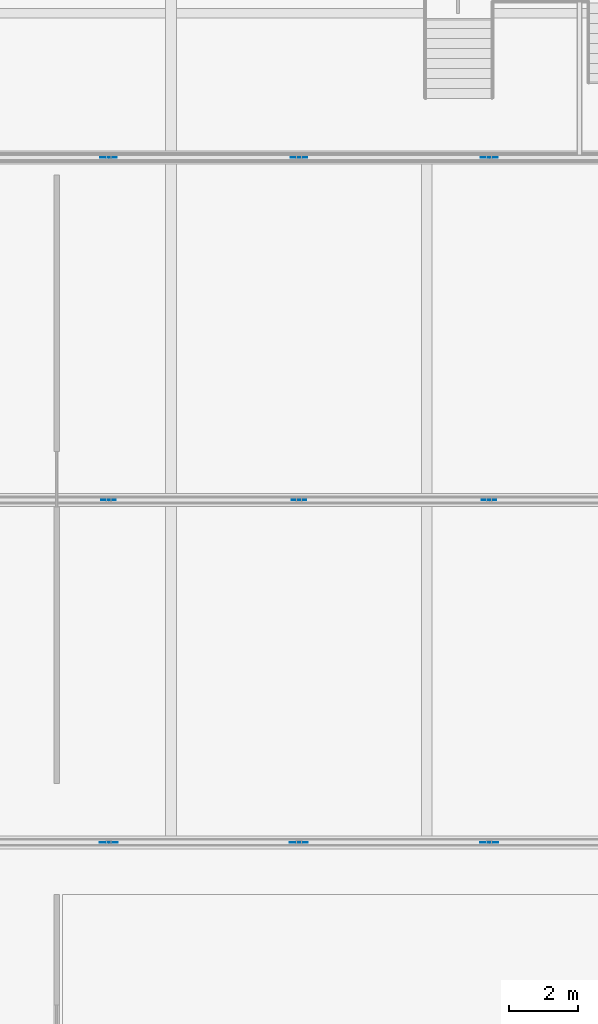
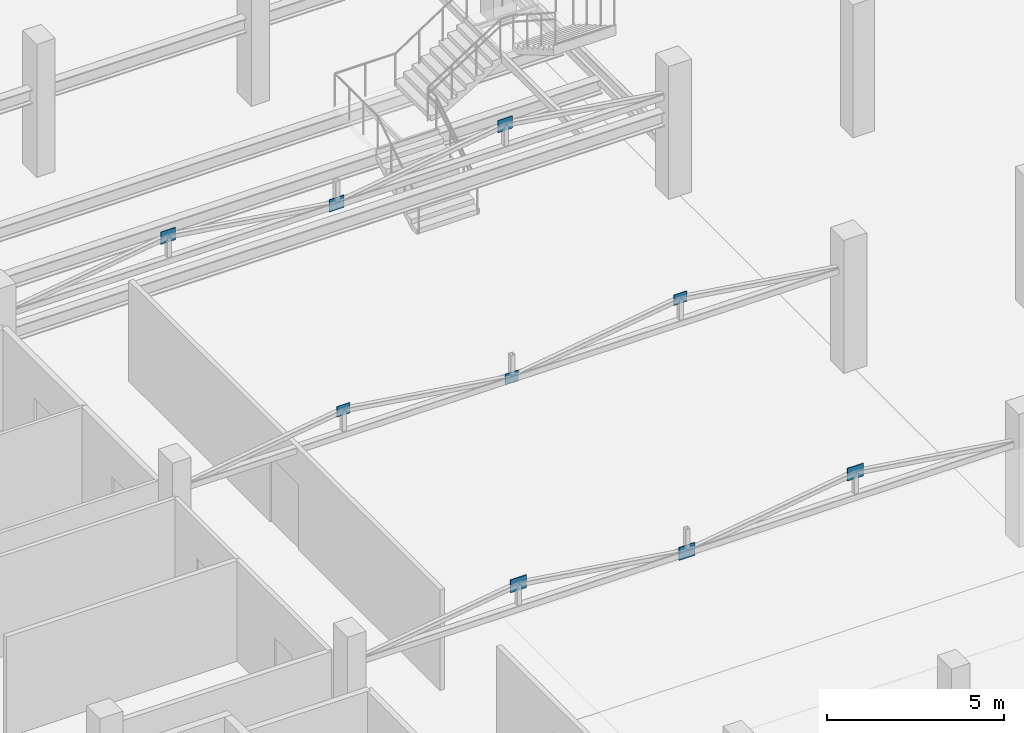
# One storey, part 35 of 49: 9 plates.
"""IFC4 building model written with IfcOpenShell, lengths in metres."""

import ifcopenshell
import ifcopenshell.guid

model = None  # the IFC model being written
_history = None  # IfcOwnerHistory: only IFC2X3 demands one
_inside = {}  # id of a spatial element -> (the spatial element, [elements in it])
_under = {}  # id of a project, library or spatial element -> (it, [spatial elements below it])
_declared = {}  # id of a project -> (the project, [libraries it declares])
_typed = {}  # id of a type object -> (the type object, [elements of that type])
_made_of = {}  # id of a material, layer set ... -> (it, [elements and type objects made of it])


def new_model(schema):
    """Start an empty IFC model of exactly this schema.

    Asked for "IFC4X3", IfcOpenShell would pick the latest addendum, in which some entities
    have other attributes; the version numbers below select the first issue.
    IFC2X3 requires an IfcOwnerHistory on every rooted entity: one is made here for all.
    """
    global model, _history
    if schema == "IFC4X3":
        model = ifcopenshell.file(schema_version=(4, 3, 0, 0))
    else:
        model = ifcopenshell.file(schema=schema)
    _inside.clear()
    _under.clear()
    _declared.clear()
    _typed.clear()
    _made_of.clear()
    _history = None
    if model.schema == "IFC2X3":
        org = make("IfcOrganization", Name="unknown")
        user = make(
            "IfcPersonAndOrganization",
            ThePerson=make("IfcPerson", FamilyName="unknown"),
            TheOrganization=org,
        )
        app = make(
            "IfcApplication",
            ApplicationDeveloper=org,
            Version="unknown",
            ApplicationFullName="unknown",
            ApplicationIdentifier="unknown",
        )
        _history = make(
            "IfcOwnerHistory",
            OwningUser=user,
            OwningApplication=app,
            ChangeAction="ADDED",
            CreationDate=0,
        )
    return model


def make(cls, **values):
    """One entity of the class cls with the attributes given. An attribute that is None is left unset."""
    return model.create_entity(
        cls, **{name: value for name, value in values.items() if value is not None}
    )


def rooted(cls, **values):
    """An entity with a GlobalId (a new one), such as an element, a storey or a relation."""
    return make(cls, GlobalId=ifcopenshell.guid.new(), OwnerHistory=_history, **values)


def si_unit(unit_type, name, prefix=None):
    """IfcSIUnit, for example si_unit("LENGTHUNIT", "METRE", prefix="MILLI")."""
    return make("IfcSIUnit", UnitType=unit_type, Prefix=prefix, Name=name)


def assignment(units):
    """IfcUnitAssignment: the units of a project."""
    return None if units is None else make("IfcUnitAssignment", Units=units)


def point(xyz):
    """IfcCartesianPoint."""
    return None if xyz is None else make("IfcCartesianPoint", Coordinates=xyz)


def direction(xyz):
    """IfcDirection."""
    return None if xyz is None else make("IfcDirection", DirectionRatios=xyz)


def frame(location, z_axis=None, x_axis=None):
    """IfcAxis2Placement3D, a coordinate frame: its origin and axes. An axis left out is left unset."""
    return make(
        "IfcAxis2Placement3D",
        Location=point(location),
        Axis=direction(z_axis),
        RefDirection=direction(x_axis),
    )


def frame_2d(location, x_axis=None):
    """IfcAxis2Placement2D, a coordinate frame in the plane: its origin and x axis."""
    return make(
        "IfcAxis2Placement2D", Location=point(location), RefDirection=direction(x_axis)
    )


def origin():
    """The frame at (0, 0, 0) with its axes left unset."""
    return frame((0.0, 0.0, 0.0))


def origin_2d():
    """The frame at (0, 0) in the plane with its x axis left unset."""
    return frame_2d((0.0, 0.0))


def place(relative_to, where):
    """IfcLocalPlacement: puts the frame where relative to a parent placement (None: the world)."""
    return make(
        "IfcLocalPlacement", PlacementRelTo=relative_to, RelativePlacement=where
    )


def context(
    kind, dimensions, precision=None, world=None, true_north=None, identifier=None
):
    """IfcGeometricRepresentationContext, for example the 3D "Model" context."""
    return make(
        "IfcGeometricRepresentationContext",
        ContextIdentifier=identifier,
        ContextType=kind,
        CoordinateSpaceDimension=dimensions,
        Precision=precision,
        WorldCoordinateSystem=world,
        TrueNorth=true_north,
    )


def subcontext(parent, identifier, kind, view, scale=None):
    """IfcGeometricRepresentationSubContext, for example "Body" below "Model"."""
    return make(
        "IfcGeometricRepresentationSubContext",
        ContextIdentifier=identifier,
        ContextType=kind,
        ParentContext=parent,
        TargetScale=scale,
        TargetView=view,
    )


def project(units=None, contexts=None):
    """IfcProject with its units and contexts."""
    return rooted(
        "IfcProject",
        Name="project",
        RepresentationContexts=contexts,
        UnitsInContext=assignment(units),
    )


def spatial(cls, under=None, at=None, **own):
    """A site, building, storey or space (cls), placed at a placement, below another one or the project."""
    s = rooted(cls, ObjectPlacement=at, **own)
    if under is not None:
        _under.setdefault(under.id(), (under, []))[1].append(s)
    return s


def profile(cls, at=None, kind="AREA", **sizes):
    """A parametric profile (cls). Its sizes go by their IFC names, for example OverallWidth=200.0."""
    return make(cls, ProfileType=kind, Position=at, **sizes)


def rectangle(**sizes):
    """IfcRectangleProfileDef."""
    return profile("IfcRectangleProfileDef", **sizes)


def extrude(swept, where, along, depth):
    """IfcExtrudedAreaSolid: the profile swept, set in the frame where, extruded along a direction by depth."""
    return make(
        "IfcExtrudedAreaSolid",
        SweptArea=swept,
        Position=where,
        ExtrudedDirection=direction(along),
        Depth=depth,
    )


def shape(context_of_items, identifier, shape_type, items):
    """IfcShapeRepresentation: the items that make up one representation, for example the "Body"."""
    return make(
        "IfcShapeRepresentation",
        ContextOfItems=context_of_items,
        RepresentationIdentifier=identifier,
        RepresentationType=shape_type,
        Items=items,
    )


def material(Name=None, Category=None):
    """IfcMaterial."""
    return make("IfcMaterial", Name=Name, Category=Category)


def layer(
    of_material, thickness, ventilated=None, Name=None, Category=None, Priority=None
):
    """IfcMaterialLayer: one layer of a wall or slab, of a material (None: an air gap)."""
    return make(
        "IfcMaterialLayer",
        Material=of_material,
        LayerThickness=thickness,
        IsVentilated=ventilated,
        Name=Name,
        Category=Category,
        Priority=Priority,
    )


def layer_set(layers, Name=None):
    """IfcMaterialLayerSet."""
    return make("IfcMaterialLayerSet", MaterialLayers=layers, LayerSetName=Name)


def made_of(thing, what):
    """Note that an element or type object is made of a material, layer set ...; save() writes the relation."""
    if what is not None:
        _made_of.setdefault(what.id(), (what, []))[1].append(thing)
    return thing


def type_object(cls, material=None, **own):
    """A type object (cls), such as IfcWallType, which elements share."""
    return made_of(rooted(cls, **own), material)


def element(
    cls,
    number,
    at=None,
    inside=None,
    cuts=None,
    type_object=None,
    material=None,
    context=None,
    identifier="Body",
    shape_type=None,
    held_by="IfcProductDefinitionShape",
    body=None,
    shapes=None,
    **own,
):
    """One element of the class cls, such as IfcWall. Its Tag is "e" and its number.

    at: its placement. inside: the storey or other place that contains it. cuts: it is an
    opening in that element (IfcRelVoidsElement). A single representation is given by context,
    identifier, shape_type and body (its items); several are given by shapes. held_by: the class
    of the entity that holds the representations. save() writes the other relations.
    """
    e = rooted(cls, Tag="e%d" % number, ObjectPlacement=at, **own)
    if body is not None:
        shapes = [shape(context, identifier, shape_type, body)]
    if shapes is not None:
        e.Representation = make(held_by, Representations=shapes)
    if inside is not None:
        _inside.setdefault(inside.id(), (inside, []))[1].append(e)
    if cuts is not None:
        rooted(
            "IfcRelVoidsElement", RelatingBuildingElement=cuts, RelatedOpeningElement=e
        )
    if type_object is not None:
        _typed.setdefault(type_object.id(), (type_object, []))[1].append(e)
    return made_of(e, material)


def aggregate(whole, parts):
    """IfcRelAggregates: a whole, such as a stair, and the parts it consists of."""
    return rooted("IfcRelAggregates", RelatingObject=whole, RelatedObjects=parts)


def save(model, path):
    """Write the relations noted so far, then the file.

    IfcRelAggregates (storeys below a building ...), IfcRelContainedInSpatialStructure (elements
    in a storey), IfcRelDefinesByType, IfcRelAssociatesMaterial and IfcRelDeclares: one each for
    every whole, place, type object, material and project.
    """
    for whole, parts in _under.values():
        aggregate(whole, parts)
    for where, things in _inside.values():
        rooted(
            "IfcRelContainedInSpatialStructure",
            RelatedElements=things,
            RelatingStructure=where,
        )
    for kind, things in _typed.values():
        rooted("IfcRelDefinesByType", RelatedObjects=things, RelatingType=kind)
    for what, things in _made_of.values():
        rooted("IfcRelAssociatesMaterial", RelatedObjects=things, RelatingMaterial=what)
    for by, libraries in _declared.values():
        rooted("IfcRelDeclares", RelatingContext=by, RelatedDefinitions=libraries)
    model.write(path)


model = new_model("IFC4")

# Units and contexts
model_context = context("Model", 3, precision=1e-05, world=origin(), true_north=direction((0.0, 1.0)))
body_context = subcontext(model_context, "Body", "Model", "MODEL_VIEW")
ifc_project = project(units=[si_unit("LENGTHUNIT", "METRE"), si_unit("AREAUNIT", "SQUARE_METRE"), si_unit("VOLUMEUNIT", "CUBIC_METRE"), si_unit("PLANEANGLEUNIT", "RADIAN"), si_unit("MASSUNIT", "GRAM", prefix="KILO")], contexts=[model_context])

# Site, building, storey
site_placement = place(None, origin())
site = spatial("IfcSite", under=ifc_project, at=site_placement, CompositionType="ELEMENT")
building_placement = place(site_placement, origin())
building = spatial("IfcBuilding", under=site, at=building_placement, Name="Sillaruma Civic Art Gallery", CompositionType="ELEMENT")
storey_placement = place(building_placement, frame((0.0, 0.0, 33.14990234375)))
storey = spatial("IfcBuildingStorey", under=building, at=storey_placement, Name="L06", CompositionType="ELEMENT", Elevation=33.14990234375)

# Plates
ifc_material = material(Name="Structural Steel ASTM A992 Gr.50", Category="steel")
ifc_layer_1 = layer(ifc_material, 0.01806640625, Name="Structural Steel ASTM A992 Gr.50")
ifc_layer_set_1 = layer_set([ifc_layer_1], Name="Structural Steel ASTM A992 Gr.50")
plate_type_1 = type_object("IfcPlateType", Name="PLT-GUS-18", PredefinedType="SHEET", material=ifc_layer_set_1)
for number, where, z_axis, x_axis, name in (
    (1, (75.5, 59.39990234375, 3.98828125), (0.0, 0.0, 1.0), (1.0, 0.0, 0.0), "Truss Gusset Plate GP-03 (TR-L06-2-1)"),
    (2, (81.0, 59.39990234375, 3.18017578125), (0.0, 0.0, 1.0), (1.0, 0.0, 0.0), "Truss Gusset Plate GP-03 (TR-L06-2-2)"),
    (3, (86.5, 59.39990234375, 3.98828125), (0.0, 0.0, 1.0), (1.0, 0.0, 0.0), "Truss Gusset Plate GP-03 (TR-L06-2-3)"),
):
    element("IfcPlate", number, at=place(storey_placement, frame(where, z_axis=z_axis, x_axis=x_axis)), inside=storey, type_object=plate_type_1, Name=name, PredefinedType="SHEET", context=body_context, shape_type="SweptSolid", body=[
        extrude(rectangle(XDim=0.419921875, YDim=0.01806640625, at=origin_2d()), origin(), (0.0, 0.0, 1.0), 0.360107421875),
    ])
ifc_layer_2 = layer(ifc_material, 0.02197265625, Name="Structural Steel ASTM A992 Gr.50")
ifc_layer_set_2 = layer_set([ifc_layer_2], Name="Structural Steel ASTM A992 Gr.50")
plate_type_2 = type_object("IfcPlateType", Name="PLT-GUS-22", PredefinedType="SHEET", material=ifc_layer_set_2)
for number, where, z_axis, x_axis, name in (
    (4, (75.5, 69.300048828125, 3.958251953125), (0.0, 0.0, 1.0), (1.0, 0.0, 0.0), "Truss Gusset Plate GP-04 (TR-L06-3-1)"),
    (5, (81.0, 69.300048828125, 3.150146484375), (0.0, 0.0, 1.0), (1.0, 0.0, 0.0), "Truss Gusset Plate GP-04 (TR-L06-3-2)"),
    (6, (86.5, 69.300048828125, 3.958251953125), (0.0, 0.0, 1.0), (1.0, 0.0, 0.0), "Truss Gusset Plate GP-04 (TR-L06-3-3)"),
):
    element("IfcPlate", number, at=place(storey_placement, frame(where, z_axis=z_axis, x_axis=x_axis)), inside=storey, type_object=plate_type_2, Name=name, PredefinedType="SHEET", context=body_context, shape_type="SweptSolid", body=[
        extrude(rectangle(XDim=0.47998046875, YDim=0.02197265625, at=origin_2d()), origin(), (0.0, 0.0, 1.0), 0.419921875),
    ])
ifc_layer_3 = layer(ifc_material, 0.02392578125, Name="Structural Steel ASTM A992 Gr.50")
ifc_layer_set_3 = layer_set([ifc_layer_3], Name="Structural Steel ASTM A992 Gr.50")
plate_type_3 = type_object("IfcPlateType", Name="PLT-GUS-24", PredefinedType="SHEET", material=ifc_layer_set_3)
for number, where, z_axis, x_axis, name in (
    (7, (75.5, 49.5, 3.9482421875), (0.0, 0.0, 1.0), (1.0, 0.0, 0.0), "Truss Gusset Plate GP-02 (TR-L06-1-1)"),
    (8, (81.0, 49.5, 3.14013671875), (0.0, 0.0, 1.0), (1.0, 0.0, 0.0), "Truss Gusset Plate GP-02 (TR-L06-1-2)"),
    (9, (86.5, 49.5, 3.9482421875), (0.0, 0.0, 1.0), (1.0, 0.0, 0.0), "Truss Gusset Plate GP-02 (TR-L06-1-3)"),
):
    element("IfcPlate", number, at=place(storey_placement, frame(where, z_axis=z_axis, x_axis=x_axis)), inside=storey, type_object=plate_type_3, Name=name, PredefinedType="SHEET", context=body_context, shape_type="SweptSolid", body=[
        extrude(rectangle(XDim=0.52001953125, YDim=0.02392578125, at=origin_2d()), origin(), (0.0, 0.0, 1.0), 0.43994140625),
    ])

save(model, "model.ifc")
